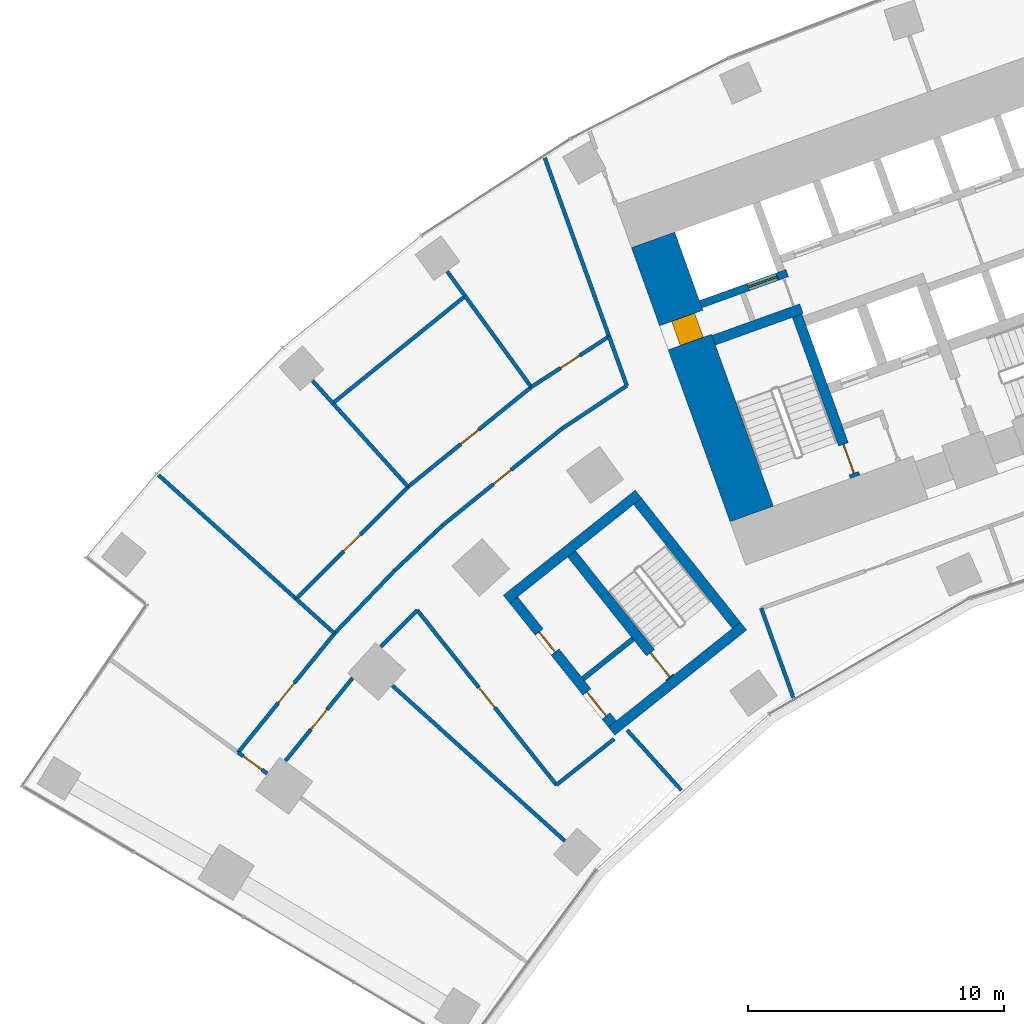
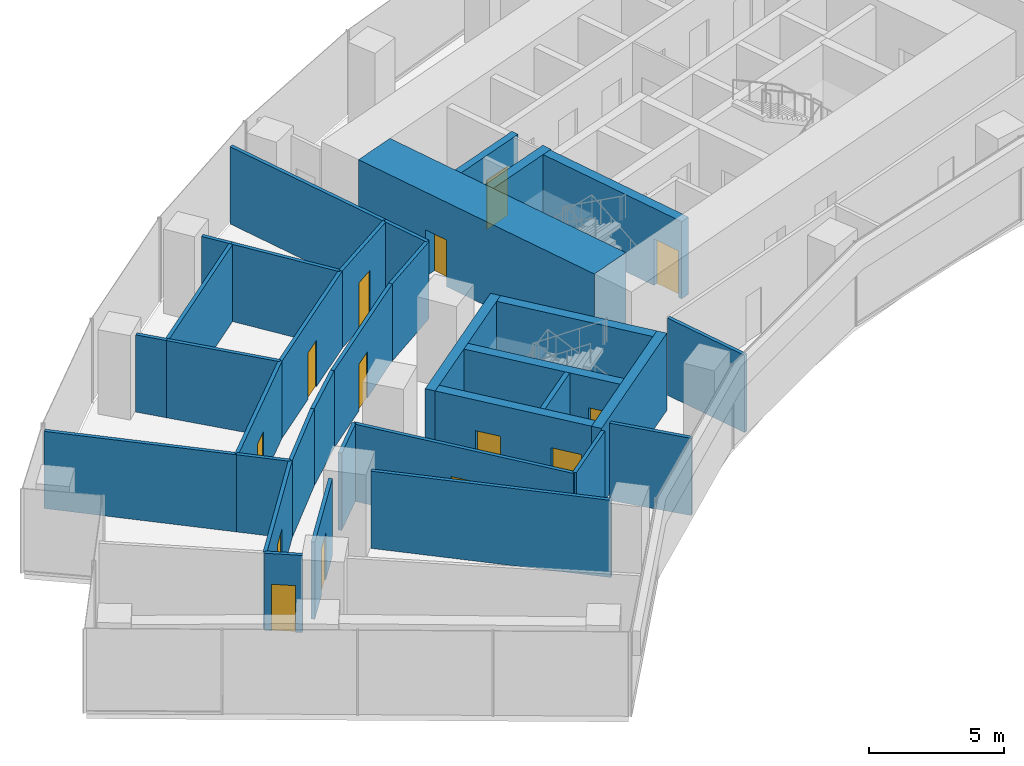
# One storey, part 14 of 21: 35 walls, 14 doors, 14 openings.
"""IFC4 building model written with IfcOpenShell, lengths in metres."""

from ifc_helpers import new_model, si_unit, direction, frame, frame_2d, origin, place, context, subcontext, project, spatial, rectangle, extrude, material, layer, layer_set, type_object, element, fill, save


model = new_model("IFC4")

# Units and contexts
model_context = context("Model", 3, precision=1e-05, world=origin(), true_north=direction((0.0, 1.0)))
body_context = subcontext(model_context, "Body", "Model", "MODEL_VIEW")
ifc_project = project(units=[si_unit("LENGTHUNIT", "METRE"), si_unit("AREAUNIT", "SQUARE_METRE"), si_unit("VOLUMEUNIT", "CUBIC_METRE"), si_unit("PLANEANGLEUNIT", "RADIAN"), si_unit("MASSUNIT", "GRAM", prefix="KILO")], contexts=[model_context])

# Site, building, storey
site_placement = place(None, origin())
site = spatial("IfcSite", under=ifc_project, at=site_placement, CompositionType="ELEMENT")
building_placement = place(site_placement, origin())
building = spatial("IfcBuilding", under=site, at=building_placement, Name="Stone Belt Terrace Tower", CompositionType="ELEMENT")
storey_placement = place(building_placement, frame((0.0, 0.0, 37.60009765625)))
storey = spatial("IfcBuildingStorey", under=building, at=storey_placement, Name="L08", CompositionType="ELEMENT", Elevation=37.60009765625)

# Wall, opening, door
ifc_material_1 = material(Name="Concrete B80", Category="concrete")
ifc_layer_1 = layer(ifc_material_1, 1.800048828125)
ifc_layer_set_1 = layer_set([ifc_layer_1], Name="Core wall 1800 B80")
wall_type_1 = type_object("IfcWallType", Name="Core wall 1800 B80", PredefinedType="SHEAR", material=ifc_layer_set_1)
wall_1_placement = place(storey_placement, frame((-26.197509765625, 42.96728515625, 0.0), z_axis=(0.0, 0.0, 1.0), x_axis=(-0.338625431531, 0.940921259788, 0.0)))
wall_1 = element("IfcWall", 1, at=wall_1_placement, inside=storey, type_object=wall_type_1, Name="Core A wall end_a L08", PredefinedType="SHEAR", context=body_context, shape_type="SweptSolid", body=[
    extrude(rectangle(XDim=11.400146484375, YDim=1.800048828125, at=frame_2d((5.7001953125, 0.0))), origin(), (0.0, 0.0, 1.0), 3.7998046875),
])
opening_1_placement = place(wall_1_placement, frame((7.150146484375, 0.0, 0.0)))
opening_1 = element("IfcOpeningElement", 2, at=opening_1_placement, cuts=wall_1, Name="Opening L08-C01", PredefinedType="OPENING", context=body_context, shape_type="SweptSolid", body=[
    extrude(rectangle(XDim=1.0, YDim=2.10009765625, at=frame_2d((0.5, 1.050048828125))), frame((0.0, 0.909912109375, 0.0), z_axis=(0.0, -1.0, 0.0), x_axis=(1.0, 0.0, 0.0)), (0.0, 0.0, 1.0), 1.820068359375),
])
ifc_material_2 = material(Name="Timber door leaf", Category="wood")
door_type_1 = type_object("IfcDoorType", Name="Core room door 1000", OperationType="SINGLE_SWING_LEFT", PredefinedType="DOOR", material=ifc_material_2)
door_1_placement = place(opening_1_placement, origin())
door_1 = element("IfcDoor", 3, at=door_1_placement, inside=storey, type_object=door_type_1, Name="Door to Telecommunications riser room core A", OperationType="SINGLE_SWING_RIGHT", OverallHeight=2.10009765625, OverallWidth=1.0, PredefinedType="DOOR", context=body_context, shape_type="SweptSolid", body=[
    extrude(rectangle(XDim=1.0, YDim=2.10009765625, at=frame_2d((0.5, 1.050048828125))), frame((0.0, 0.39501953125, 0.0), z_axis=(0.0, -1.0, 0.0), x_axis=(1.0, 0.0, 0.0)), (0.0, 0.0, 1.0), 0.949951171875),
])
fill(opening_1, door_1)

ifc_layer_2 = layer(ifc_material_1, 0.300048828125)
ifc_layer_set_2 = layer_set([ifc_layer_2], Name="Lift shaft wall 300")
wall_type_2 = type_object("IfcWallType", Name="Lift shaft wall 300", PredefinedType="SHEAR", material=ifc_layer_set_2)
wall_2_placement = place(storey_placement, frame((-28.195068359375, 51.17578125, 0.0), z_axis=(0.0, 0.0, 1.0), x_axis=(0.940901243567, 0.338681044427, 0.0)))
wall_2 = element("IfcWall", 4, at=wall_2_placement, inside=storey, type_object=wall_type_2, Name="Core A wall", PredefinedType="SHEAR", context=body_context, shape_type="SweptSolid", body=[
    extrude(rectangle(XDim=3.599853515625, YDim=0.300048828125, at=frame_2d((1.7998046875, 0.0))), origin(), (0.0, 0.0, 1.0), 3.47998046875),
])
opening_2_placement = place(wall_2_placement, frame((1.969970703125, 0.0, 0.0)))
opening_2 = element("IfcOpeningElement", 5, at=opening_2_placement, cuts=wall_2, Name="Opening L08-LD09", PredefinedType="OPENING", context=body_context, shape_type="SweptSolid", body=[
    extrude(rectangle(XDim=1.199951171875, YDim=2.199951171875, at=frame_2d((0.60009765625, 1.10009765625))), frame((0.0, 0.159912109375, 0.0), z_axis=(0.0, -1.0, 0.0), x_axis=(1.0, 0.0, 0.0)), (0.0, 0.0, 1.0), 0.320068359375),
])
ifc_material_3 = material(Name="Stainless steel door leaf", Category="steel")
door_type_2 = type_object("IfcDoorType", Name="Landing door 1200", OperationType="SLIDING_TO_LEFT", PredefinedType="DOOR", material=ifc_material_3)
door_2_placement = place(opening_2_placement, origin())
door_2 = element("IfcDoor", 6, at=door_2_placement, inside=storey, type_object=door_type_2, Name="Landing door SV1 core A", OperationType="SLIDING_TO_LEFT", OverallHeight=2.199951171875, OverallWidth=1.199951171875, PredefinedType="DOOR", context=body_context, shape_type="SweptSolid", body=[
    extrude(rectangle(XDim=1.199951171875, YDim=2.199951171875, at=frame_2d((0.60009765625, 1.10009765625))), frame((0.0, 0.02490234375, 0.0), z_axis=(0.0, -1.0, 0.0), x_axis=(1.0, 0.0, 0.0)), (0.0, 0.0, 1.0), 0.050048828125),
])
fill(opening_2, door_2)

# Walls
ifc_material_4 = material(Name="Gypsum board partition")
ifc_layer_3 = layer(ifc_material_4, 0.14990234375)
ifc_layer_set_3 = layer_set([ifc_layer_3], Name="PARTITION 150 EI 60")
wall_type_3 = type_object("IfcWallType", Name="PARTITION 150 EI 60", PredefinedType="PARTITIONING", material=ifc_layer_set_3)
wall_3_placement = place(storey_placement, frame((-25.826904296875, 39.281005859375, 0.0), z_axis=(0.0, 0.0, 1.0), x_axis=(0.338392582605, -0.941005026574, 0.0)))
element("IfcWall", 7, at=wall_3_placement, inside=storey, type_object=wall_type_3, Name="L08/wall/i001", PredefinedType="PARTITIONING", context=body_context, shape_type="SweptSolid", body=[
    extrude(rectangle(XDim=3.729248046875, YDim=0.14990234375, at=frame_2d((1.86474609375, 0.0))), origin(), (0.0, 0.0, 1.0), 3.47998046875),
])
wall_4_placement = place(storey_placement, frame((-28.94775390625, 32.149658203125, 0.0), z_axis=(0.0, 0.0, 1.0), x_axis=(-0.669245279782, 0.74304155704, 0.0)))
element("IfcWall", 8, at=wall_4_placement, inside=storey, type_object=wall_type_3, Name="L08/wall/i004", PredefinedType="PARTITIONING", context=body_context, shape_type="SweptSolid", body=[
    extrude(rectangle(XDim=3.172607421875, YDim=0.14990234375, at=frame_2d((1.58642578125, 0.0))), origin(), (0.0, 0.0, 1.0), 3.47998046875),
])
wall_5_placement = place(storey_placement, frame((-31.083984375, 47.98095703125, 0.0), z_axis=(0.0, 0.0, 1.0), x_axis=(-0.338975203453, 0.940795307941, 0.0)))
element("IfcWall", 9, at=wall_5_placement, inside=storey, type_object=wall_type_3, Name="L08/wall/i005", PredefinedType="PARTITIONING", context=body_context, shape_type="SweptSolid", body=[
    extrude(rectangle(XDim=2.06201171875, YDim=0.14990234375, at=frame_2d((1.031005859375, 0.0))), origin(), (0.0, 0.0, 1.0), 3.47998046875),
])
wall_6_placement = place(storey_placement, frame((-31.779052734375, 49.909912109375, 0.0), z_axis=(0.0, 0.0, 1.0), x_axis=(-0.338595127204, 0.940932165373, 0.0)))
element("IfcWall", 10, at=wall_6_placement, inside=storey, type_object=wall_type_3, Name="L08/wall/i006", PredefinedType="PARTITIONING", context=body_context, shape_type="SweptSolid", body=[
    extrude(rectangle(XDim=7.439697265625, YDim=0.14990234375, at=frame_2d((3.7197265625, 0.0))), origin(), (0.0, 0.0, 1.0), 3.47998046875),
])

# Wall, opening, door
wall_7_placement = place(storey_placement, frame((-45.167236328125, 32.816162109375, 0.0), z_axis=(0.0, 0.0, 1.0), x_axis=(-0.809353623303, 0.587321643094, 0.0)))
wall_7 = element("IfcWall", 11, at=wall_7_placement, inside=storey, type_object=wall_type_3, Name="L08/wall/i031", PredefinedType="PARTITIONING", context=body_context, shape_type="SweptSolid", body=[
    extrude(rectangle(XDim=1.40087890625, YDim=0.14990234375, at=frame_2d((0.700439453125, 0.0))), origin(), (0.0, 0.0, 1.0), 3.47998046875),
])
opening_3_placement = place(wall_7_placement, frame((0.25048828125, 0.0, 0.0)))
opening_3 = element("IfcOpeningElement", 12, at=opening_3_placement, cuts=wall_7, Name="Opening D-A1b-09", PredefinedType="OPENING", context=body_context, shape_type="SweptSolid", body=[
    extrude(rectangle(XDim=0.89990234375, YDim=2.10009765625, at=frame_2d((0.449951171875, 1.050048828125))), frame((0.0, 0.0849609375, 0.0), z_axis=(0.0, -1.0, 0.0), x_axis=(1.0, 0.0, 0.0)), (0.0, 0.0, 1.0), 0.169921875),
])
ifc_material_5 = material(Name="Timber fire door leaf", Category="wood")
door_type_3 = type_object("IfcDoorType", Name="TENANCY ENTRANCE DOOR 900 X 2100", OperationType="NOTDEFINED", PredefinedType="DOOR", material=ifc_material_5)
door_3_placement = place(opening_3_placement, origin())
door_3 = element("IfcDoor", 13, at=door_3_placement, inside=storey, type_object=door_type_3, Name="L08/door/i09", OperationType="SINGLE_SWING_RIGHT", OverallHeight=2.10009765625, OverallWidth=0.89990234375, PredefinedType="DOOR", context=body_context, shape_type="SweptSolid", body=[
    extrude(rectangle(XDim=0.89990234375, YDim=2.10009765625, at=frame_2d((0.449951171875, 1.050048828125))), frame((0.0, 0.02490234375, 0.0), z_axis=(0.0, -1.0, 0.0), x_axis=(1.0, 0.0, 0.0)), (0.0, 0.0, 1.0), 0.050048828125),
])
fill(opening_3, door_3)

# Wall
wall_8_placement = place(storey_placement, frame((-40.1640625, 40.761962890625, 0.0), z_axis=(0.0, 0.0, 1.0), x_axis=(0.727996599904, 0.685580739613, 0.0)))
element("IfcWall", 14, at=wall_8_placement, inside=storey, type_object=wall_type_3, Name="L08/wall/i034", PredefinedType="PARTITIONING", context=body_context, shape_type="SweptSolid", body=[
    extrude(rectangle(XDim=2.572998046875, YDim=0.14990234375, at=frame_2d((1.28662109375, 0.0))), origin(), (0.0, 0.0, 1.0), 3.47998046875),
])

# Wall, opening, door
wall_9_placement = place(storey_placement, frame((-38.2900390625, 42.527099609375, 0.0), z_axis=(0.0, 0.0, 1.0), x_axis=(0.77714422733, 0.629322532513, 0.0)))
wall_9 = element("IfcWall", 15, at=wall_9_placement, inside=storey, type_object=wall_type_3, Name="L08/wall/i035", PredefinedType="PARTITIONING", context=body_context, shape_type="SweptSolid", body=[
    extrude(rectangle(XDim=5.98876953125, YDim=0.14990234375, at=frame_2d((2.994384765625, 0.0))), origin(), (0.0, 0.0, 1.0), 3.47998046875),
])
opening_4_placement = place(wall_9_placement, frame((2.54443359375, 0.0, 0.0)))
opening_4 = element("IfcOpeningElement", 16, at=opening_4_placement, cuts=wall_9, Name="Opening D-A1b-12", PredefinedType="OPENING", context=body_context, shape_type="SweptSolid", body=[
    extrude(rectangle(XDim=0.89990234375, YDim=2.10009765625, at=frame_2d((0.449951171875, 1.050048828125))), frame((0.0, 0.0849609375, 0.0), z_axis=(0.0, -1.0, 0.0), x_axis=(1.0, 0.0, 0.0)), (0.0, 0.0, 1.0), 0.169921875),
])
door_type_4 = type_object("IfcDoorType", Name="OFFICE DOOR 900 X 2100", OperationType="NOTDEFINED", PredefinedType="DOOR", material=ifc_material_2)
door_4_placement = place(opening_4_placement, origin())
door_4 = element("IfcDoor", 17, at=door_4_placement, inside=storey, type_object=door_type_4, Name="L08/door/i12", OperationType="SINGLE_SWING_RIGHT", OverallHeight=2.10009765625, OverallWidth=0.89990234375, PredefinedType="DOOR", context=body_context, shape_type="SweptSolid", body=[
    extrude(rectangle(XDim=0.89990234375, YDim=2.10009765625, at=frame_2d((0.449951171875, 1.050048828125))), frame((0.0, 0.02490234375, 0.0), z_axis=(0.0, -1.0, 0.0), x_axis=(1.0, 0.0, 0.0)), (0.0, 0.0, 1.0), 0.050048828125),
])
fill(opening_4, door_4)

# Walls
wall_10_placement = place(storey_placement, frame((-33.635986328125, 46.2958984375, 0.0), z_axis=(0.0, 0.0, 1.0), x_axis=(0.833385857539, 0.552691607005, 0.0)))
element("IfcWall", 18, at=wall_10_placement, inside=storey, type_object=wall_type_3, Name="L08/wall/i036", PredefinedType="PARTITIONING", context=body_context, shape_type="SweptSolid", body=[
    extrude(rectangle(XDim=3.059814453125, YDim=0.14990234375, at=frame_2d((1.52978515625, 0.0))), origin(), (0.0, 0.0, 1.0), 3.47998046875),
])
wall_11_placement = place(storey_placement, frame((-39.285888671875, 39.200927734375, 0.0), z_axis=(0.0, 0.0, 1.0), x_axis=(-0.707106781187, -0.707106781187, 0.0)))
element("IfcWall", 19, at=wall_11_placement, inside=storey, type_object=wall_type_3, Name="L08/wall/i037", PredefinedType="PARTITIONING", context=body_context, shape_type="SweptSolid", body=[
    extrude(rectangle(XDim=2.017333984375, YDim=0.14990234375, at=frame_2d((1.0087890625, 0.0))), origin(), (0.0, 0.0, 1.0), 3.47998046875),
])

# Wall, opening, door
wall_12_placement = place(storey_placement, frame((-41.82373046875, 36.541259765625, 0.0), z_axis=(0.0, 0.0, 1.0), x_axis=(-0.629213442028, -0.777232554884, 0.0)))
wall_12 = element("IfcWall", 20, at=wall_12_placement, inside=storey, type_object=wall_type_3, Name="L08/wall/i038", PredefinedType="PARTITIONING", context=body_context, shape_type="SweptSolid", body=[
    extrude(rectangle(XDim=4.15478515625, YDim=0.14990234375, at=frame_2d((2.077392578125, 0.0))), origin(), (0.0, 0.0, 1.0), 3.47998046875),
])
opening_5_placement = place(wall_12_placement, frame((1.577392578125, 0.0, 0.0)))
opening_5 = element("IfcOpeningElement", 21, at=opening_5_placement, cuts=wall_12, Name="Opening D-A1b-11", PredefinedType="OPENING", context=body_context, shape_type="SweptSolid", body=[
    extrude(rectangle(XDim=1.0, YDim=2.10009765625, at=frame_2d((0.5, 1.050048828125))), frame((0.0, 0.0849609375, 0.0), z_axis=(0.0, -1.0, 0.0), x_axis=(1.0, 0.0, 0.0)), (0.0, 0.0, 1.0), 0.169921875),
])
door_type_5 = type_object("IfcDoorType", Name="TENANCY ENTRANCE DOOR 1000 X 2100", OperationType="NOTDEFINED", PredefinedType="DOOR", material=ifc_material_5)
door_5_placement = place(opening_5_placement, origin())
door_5 = element("IfcDoor", 22, at=door_5_placement, inside=storey, type_object=door_type_5, Name="L08/door/i11", OperationType="SINGLE_SWING_RIGHT", OverallHeight=2.10009765625, OverallWidth=1.0, PredefinedType="DOOR", context=body_context, shape_type="SweptSolid", body=[
    extrude(rectangle(XDim=1.0, YDim=2.10009765625, at=frame_2d((0.5, 1.050048828125))), frame((0.0, 0.02490234375, 0.0), z_axis=(0.0, -1.0, 0.0), x_axis=(1.0, 0.0, 0.0)), (0.0, 0.0, 1.0), 0.050048828125),
])
fill(opening_5, door_5)

# Wall
wall_13_placement = place(storey_placement, frame((-42.52587890625, 38.291015625, 0.0), z_axis=(0.0, 0.0, 1.0), x_axis=(0.690963131402, 0.722889999269, 0.0)))
element("IfcWall", 23, at=wall_13_placement, inside=storey, type_object=wall_type_3, Name="L08/wall/i039", PredefinedType="PARTITIONING", context=body_context, shape_type="SweptSolid", body=[
    extrude(rectangle(XDim=3.418212890625, YDim=0.14990234375, at=frame_2d((1.708984375, 0.0))), origin(), (0.0, 0.0, 1.0), 3.47998046875),
])

# Wall, opening, door
wall_14_placement = place(storey_placement, frame((-46.2958984375, 33.635986328125, 0.0), z_axis=(0.0, 0.0, 1.0), x_axis=(0.629322532513, 0.77714422733, 0.0)))
wall_14 = element("IfcWall", 24, at=wall_14_placement, inside=storey, type_object=wall_type_3, Name="L08/wall/i040", PredefinedType="PARTITIONING", context=body_context, shape_type="SweptSolid", body=[
    extrude(rectangle(XDim=5.98876953125, YDim=0.14990234375, at=frame_2d((2.994384765625, 0.0))), origin(), (0.0, 0.0, 1.0), 3.47998046875),
])
opening_6_placement = place(wall_14_placement, frame((2.494384765625, 0.0, 0.0)))
opening_6 = element("IfcOpeningElement", 25, at=opening_6_placement, cuts=wall_14, Name="Opening D-A1b-16", PredefinedType="OPENING", context=body_context, shape_type="SweptSolid", body=[
    extrude(rectangle(XDim=1.0, YDim=2.10009765625, at=frame_2d((0.5, 1.050048828125))), frame((0.0, 0.0849609375, 0.0), z_axis=(0.0, -1.0, 0.0), x_axis=(1.0, 0.0, 0.0)), (0.0, 0.0, 1.0), 0.169921875),
])
door_6_placement = place(opening_6_placement, origin())
door_6 = element("IfcDoor", 26, at=door_6_placement, inside=storey, type_object=door_type_5, Name="L08/door/i16", OperationType="SINGLE_SWING_RIGHT", OverallHeight=2.10009765625, OverallWidth=1.0, PredefinedType="DOOR", context=body_context, shape_type="SweptSolid", body=[
    extrude(rectangle(XDim=1.0, YDim=2.10009765625, at=frame_2d((0.5, 1.050048828125))), frame((0.0, 0.02490234375, 0.0), z_axis=(0.0, -1.0, 0.0), x_axis=(1.0, 0.0, 0.0)), (0.0, 0.0, 1.0), 0.050048828125),
])
fill(opening_6, door_6)

# Wall
wall_15_placement = place(storey_placement, frame((-31.58203125, 34.1640625, 0.0), z_axis=(0.0, 0.0, 1.0), x_axis=(-0.78211299795, -0.623136629029, 0.0)))
element("IfcWall", 27, at=wall_15_placement, inside=storey, type_object=wall_type_3, Name="L08/wall/i041", PredefinedType="PARTITIONING", context=body_context, shape_type="SweptSolid", body=[
    extrude(rectangle(XDim=2.88720703125, YDim=0.14990234375, at=frame_2d((1.443603515625, 0.0))), origin(), (0.0, 0.0, 1.0), 3.47998046875),
])

# Wall, opening, door
wall_16_placement = place(storey_placement, frame((-33.841064453125, 32.365966796875, 0.0), z_axis=(0.0, 0.0, 1.0), x_axis=(-0.623137799721, 0.782112065217, 0.0)))
wall_16 = element("IfcWall", 28, at=wall_16_placement, inside=storey, type_object=wall_type_3, Name="L08/wall/i042", PredefinedType="PARTITIONING", context=body_context, shape_type="SweptSolid", body=[
    extrude(rectangle(XDim=8.744384765625, YDim=0.14990234375, at=frame_2d((4.3720703125, 0.0))), origin(), (0.0, 0.0, 1.0), 3.47998046875),
])
opening_7_placement = place(wall_16_placement, frame((3.8720703125, 0.0, 0.0)))
opening_7 = element("IfcOpeningElement", 29, at=opening_7_placement, cuts=wall_16, Name="Opening D-A1b-10", PredefinedType="OPENING", context=body_context, shape_type="SweptSolid", body=[
    extrude(rectangle(XDim=1.0, YDim=2.10009765625, at=frame_2d((0.5, 1.050048828125))), frame((0.0, 0.0849609375, 0.0), z_axis=(0.0, -1.0, 0.0), x_axis=(1.0, 0.0, 0.0)), (0.0, 0.0, 1.0), 0.169921875),
])
door_7_placement = place(opening_7_placement, origin())
door_7 = element("IfcDoor", 30, at=door_7_placement, inside=storey, type_object=door_type_5, Name="L08/door/i10", OperationType="SINGLE_SWING_RIGHT", OverallHeight=2.10009765625, OverallWidth=1.0, PredefinedType="DOOR", context=body_context, shape_type="SweptSolid", body=[
    extrude(rectangle(XDim=1.0, YDim=2.10009765625, at=frame_2d((0.5, 1.050048828125))), frame((0.0, 0.02490234375, 0.0), z_axis=(0.0, -1.0, 0.0), x_axis=(1.0, 0.0, 0.0)), (0.0, 0.0, 1.0), 0.050048828125),
])
fill(opening_7, door_7)

# Wall
wall_17_placement = place(storey_placement, frame((-33.515869140625, 30.177734375, 0.0), z_axis=(0.0, 0.0, 1.0), x_axis=(-0.743122805234, 0.669155061508, 0.0)))
element("IfcWall", 31, at=wall_17_placement, inside=storey, type_object=wall_type_3, Name="L08/wall/i043", PredefinedType="PARTITIONING", context=body_context, shape_type="SweptSolid", body=[
    extrude(rectangle(XDim=9.070068359375, YDim=0.14990234375, at=frame_2d((4.53515625, 0.0))), origin(), (0.0, 0.0, 1.0), 3.47998046875),
])

# Wall, opening, door
wall_18_placement = place(storey_placement, frame((-44.030029296875, 39.64599609375, 0.0), z_axis=(0.0, 0.0, 1.0), x_axis=(0.707106781187, 0.707106781187, 0.0)))
wall_18 = element("IfcWall", 32, at=wall_18_placement, inside=storey, type_object=wall_type_3, Name="L08/wall/i044", PredefinedType="PARTITIONING", context=body_context, shape_type="SweptSolid", body=[
    extrude(rectangle(XDim=6.201416015625, YDim=0.14990234375, at=frame_2d((3.1005859375, 0.0))), origin(), (0.0, 0.0, 1.0), 3.47998046875),
])
opening_8_placement = place(wall_18_placement, frame((2.650634765625, 0.0, 0.0)))
opening_8 = element("IfcOpeningElement", 33, at=opening_8_placement, cuts=wall_18, Name="Opening D-A1b-13", PredefinedType="OPENING", context=body_context, shape_type="SweptSolid", body=[
    extrude(rectangle(XDim=0.89990234375, YDim=2.10009765625, at=frame_2d((0.449951171875, 1.050048828125))), frame((0.0, 0.0849609375, 0.0), z_axis=(0.0, -1.0, 0.0), x_axis=(1.0, 0.0, 0.0)), (0.0, 0.0, 1.0), 0.169921875),
])
door_8_placement = place(opening_8_placement, origin())
door_8 = element("IfcDoor", 34, at=door_8_placement, inside=storey, type_object=door_type_4, Name="L08/door/i13", OperationType="SINGLE_SWING_RIGHT", OverallHeight=2.10009765625, OverallWidth=0.89990234375, PredefinedType="DOOR", context=body_context, shape_type="SweptSolid", body=[
    extrude(rectangle(XDim=0.89990234375, YDim=2.10009765625, at=frame_2d((0.449951171875, 1.050048828125))), frame((0.0, 0.02490234375, 0.0), z_axis=(0.0, -1.0, 0.0), x_axis=(1.0, 0.0, 0.0)), (0.0, 0.0, 1.0), 0.050048828125),
])
fill(opening_8, door_8)

wall_19_placement = place(storey_placement, frame((-39.64501953125, 44.031005859375, 0.0), z_axis=(0.0, 0.0, 1.0), x_axis=(0.777094493267, 0.629383943658, 0.0)))
wall_19 = element("IfcWall", 35, at=wall_19_placement, inside=storey, type_object=wall_type_3, Name="L08/wall/i045", PredefinedType="PARTITIONING", context=body_context, shape_type="SweptSolid", body=[
    extrude(rectangle(XDim=6.201416015625, YDim=0.14990234375, at=frame_2d((3.1005859375, 0.0))), origin(), (0.0, 0.0, 1.0), 3.47998046875),
])
opening_9_placement = place(wall_19_placement, frame((2.650634765625, 0.0, 0.0)))
opening_9 = element("IfcOpeningElement", 36, at=opening_9_placement, cuts=wall_19, Name="Opening D-A1b-14", PredefinedType="OPENING", context=body_context, shape_type="SweptSolid", body=[
    extrude(rectangle(XDim=0.89990234375, YDim=2.10009765625, at=frame_2d((0.449951171875, 1.050048828125))), frame((0.0, 0.0849609375, 0.0), z_axis=(0.0, -1.0, 0.0), x_axis=(1.0, 0.0, 0.0)), (0.0, 0.0, 1.0), 0.169921875),
])
door_9_placement = place(opening_9_placement, origin())
door_9 = element("IfcDoor", 37, at=door_9_placement, inside=storey, type_object=door_type_4, Name="L08/door/i14", OperationType="SINGLE_SWING_RIGHT", OverallHeight=2.10009765625, OverallWidth=0.89990234375, PredefinedType="DOOR", context=body_context, shape_type="SweptSolid", body=[
    extrude(rectangle(XDim=0.89990234375, YDim=2.10009765625, at=frame_2d((0.449951171875, 1.050048828125))), frame((0.0, 0.02490234375, 0.0), z_axis=(0.0, -1.0, 0.0), x_axis=(1.0, 0.0, 0.0)), (0.0, 0.0, 1.0), 0.050048828125),
])
fill(opening_9, door_9)

wall_20_placement = place(storey_placement, frame((-34.825927734375, 47.93408203125, 0.0), z_axis=(0.0, 0.0, 1.0), x_axis=(0.838179507416, 0.545394456653, 0.0)))
wall_20 = element("IfcWall", 38, at=wall_20_placement, inside=storey, type_object=wall_type_3, Name="L08/wall/i046", PredefinedType="PARTITIONING", context=body_context, shape_type="SweptSolid", body=[
    extrude(rectangle(XDim=3.634033203125, YDim=0.14990234375, at=frame_2d((1.81689453125, 0.0))), origin(), (0.0, 0.0, 1.0), 3.47998046875),
])
opening_10_placement = place(wall_20_placement, frame((1.366943359375, 0.0, 0.0)))
opening_10 = element("IfcOpeningElement", 39, at=opening_10_placement, cuts=wall_20, Name="Opening D-A1b-15", PredefinedType="OPENING", context=body_context, shape_type="SweptSolid", body=[
    extrude(rectangle(XDim=0.89990234375, YDim=2.10009765625, at=frame_2d((0.449951171875, 1.050048828125))), frame((0.0, 0.0849609375, 0.0), z_axis=(0.0, -1.0, 0.0), x_axis=(1.0, 0.0, 0.0)), (0.0, 0.0, 1.0), 0.169921875),
])
door_10_placement = place(opening_10_placement, origin())
door_10 = element("IfcDoor", 40, at=door_10_placement, inside=storey, type_object=door_type_4, Name="L08/door/i15", OperationType="SINGLE_SWING_RIGHT", OverallHeight=2.10009765625, OverallWidth=0.89990234375, PredefinedType="DOOR", context=body_context, shape_type="SweptSolid", body=[
    extrude(rectangle(XDim=0.89990234375, YDim=2.10009765625, at=frame_2d((0.449951171875, 1.050048828125))), frame((0.0, 0.02490234375, 0.0), z_axis=(0.0, -1.0, 0.0), x_axis=(1.0, 0.0, 0.0)), (0.0, 0.0, 1.0), 0.050048828125),
])
fill(opening_10, door_10)

# Walls
wall_21_placement = place(storey_placement, frame((-42.52587890625, 38.291015625, 0.0), z_axis=(0.0, 0.0, 1.0), x_axis=(-0.742988249307, 0.669304460908, 0.0)))
element("IfcWall", 41, at=wall_21_placement, inside=storey, type_object=wall_type_3, Name="L08/wall/i047", PredefinedType="PARTITIONING", context=body_context, shape_type="SweptSolid", body=[
    extrude(rectangle(XDim=2.0244140625, YDim=0.14990234375, at=frame_2d((1.01220703125, 0.0))), origin(), (0.0, 0.0, 1.0), 3.47998046875),
])
wall_22_placement = place(storey_placement, frame((-42.593017578125, 47.304931640625, 0.0), z_axis=(0.0, 0.0, 1.0), x_axis=(0.669148410698, -0.743128793992, 0.0)))
element("IfcWall", 42, at=wall_22_placement, inside=storey, type_object=wall_type_3, Name="L08/wall/i048", PredefinedType="PARTITIONING", context=body_context, shape_type="SweptSolid", body=[
    extrude(rectangle(XDim=4.405517578125, YDim=0.14990234375, at=frame_2d((2.20263671875, 0.0))), origin(), (0.0, 0.0, 1.0), 3.47998046875),
])
wall_23_placement = place(storey_placement, frame((-43.382080078125, 48.18115234375, 0.0), z_axis=(0.0, 0.0, 1.0), x_axis=(0.669145878726, -0.743131073892, 0.0)))
element("IfcWall", 43, at=wall_23_placement, inside=storey, type_object=wall_type_3, Name="L08/wall/i049", PredefinedType="PARTITIONING", context=body_context, shape_type="SweptSolid", body=[
    extrude(rectangle(XDim=1.191162109375, YDim=0.14990234375, at=frame_2d((0.595703125, 0.0))), origin(), (0.0, 0.0, 1.0), 3.47998046875),
])
wall_24_placement = place(storey_placement, frame((-44.030029296875, 39.64599609375, 0.0), z_axis=(0.0, 0.0, 1.0), x_axis=(-0.74319367285, 0.669076351874, 0.0)))
element("IfcWall", 44, at=wall_24_placement, inside=storey, type_object=wall_type_3, Name="L08/wall/i050", PredefinedType="PARTITIONING", context=body_context, shape_type="SweptSolid", body=[
    extrude(rectangle(XDim=7.25, YDim=0.14990234375, at=frame_2d((3.625, 0.0))), origin(), (0.0, 0.0, 1.0), 3.47998046875),
])
wall_25_placement = place(storey_placement, frame((-42.589111328125, 47.301025390625, 0.0), z_axis=(0.0, 0.0, 1.0), x_axis=(0.777172317777, 0.629287842312, 0.0)))
element("IfcWall", 45, at=wall_25_placement, inside=storey, type_object=wall_type_3, Name="L08/wall/i051", PredefinedType="PARTITIONING", context=body_context, shape_type="SweptSolid", body=[
    extrude(rectangle(XDim=6.661376953125, YDim=0.14990234375, at=frame_2d((3.33056640625, 0.0))), origin(), (0.0, 0.0, 1.0), 3.47998046875),
])
wall_26_placement = place(storey_placement, frame((-37.412109375, 51.492919921875, 0.0), z_axis=(0.0, 0.0, 1.0), x_axis=(0.58786477972, -0.808959208344, 0.0)))
element("IfcWall", 46, at=wall_26_placement, inside=storey, type_object=wall_type_3, Name="L08/wall/i052", PredefinedType="PARTITIONING", context=body_context, shape_type="SweptSolid", body=[
    extrude(rectangle(XDim=4.399169921875, YDim=0.14990234375, at=frame_2d((2.19970703125, 0.0))), origin(), (0.0, 0.0, 1.0), 3.47998046875),
])
wall_27_placement = place(storey_placement, frame((-38.1083984375, 52.45166015625, 0.0), z_axis=(0.0, 0.0, 1.0), x_axis=(0.587632515929, -0.809127941813, 0.0)))
element("IfcWall", 47, at=wall_27_placement, inside=storey, type_object=wall_type_3, Name="L08/wall/i053", PredefinedType="PARTITIONING", context=body_context, shape_type="SweptSolid", body=[
    extrude(rectangle(XDim=1.184814453125, YDim=0.14990234375, at=frame_2d((0.59228515625, 0.0))), origin(), (0.0, 0.0, 1.0), 3.47998046875),
])
ifc_material_6 = material(Name="Concrete masonry block", Category="masonry")
ifc_layer_4 = layer(ifc_material_6, 0.199951171875)
ifc_layer_set_4 = layer_set([ifc_layer_4], Name="Rated lobby wall 200")
wall_type_4 = type_object("IfcWallType", Name="Rated lobby wall 200", PredefinedType="PARTITIONING", material=ifc_layer_set_4)
wall_28_placement = place(storey_placement, frame((-30.845703125, 38.074951171875, 0.0), z_axis=(0.0, 0.0, 1.0), x_axis=(-0.782115323833, -0.623133709749, 0.0)))
element("IfcWall", 48, at=wall_28_placement, inside=storey, type_object=wall_type_4, Name="Exit stair ST3A wall", PredefinedType="PARTITIONING", context=body_context, shape_type="SweptSolid", body=[
    extrude(rectangle(XDim=2.5, YDim=0.199951171875, at=frame_2d((1.25, 0.0))), origin(), (0.0, 0.0, 1.0), 3.47998046875),
])
ifc_layer_5 = layer(ifc_material_1, 0.39990234375)
ifc_layer_set_5 = layer_set([ifc_layer_5], Name="Stair enclosure wall 400")
wall_type_5 = type_object("IfcWallType", Name="Stair enclosure wall 400", PredefinedType="SHEAR", material=ifc_layer_set_5)
wall_29_placement = place(storey_placement, frame((-27.687255859375, 49.764404296875, 0.0), z_axis=(0.0, 0.0, 1.0), x_axis=(0.940918954884, 0.338631835981, 0.0)))
element("IfcWall", 49, at=wall_29_placement, inside=storey, type_object=wall_type_5, Name="Core A wall", PredefinedType="SHEAR", context=body_context, shape_type="SweptSolid", body=[
    extrude(rectangle(XDim=3.650146484375, YDim=0.39990234375, at=frame_2d((1.8251953125, 0.0))), origin(), (0.0, 0.0, 1.0), 3.47998046875),
])

# Wall, opening, door
wall_30_placement = place(storey_placement, frame((-22.151611328125, 44.42333984375, 0.0), z_axis=(0.0, 0.0, 1.0), x_axis=(-0.338625272931, 0.940921316866, 0.0)))
wall_30 = element("IfcWall", 50, at=wall_30_placement, inside=storey, type_object=wall_type_5, Name="Core A wall", PredefinedType="SHEAR", context=body_context, shape_type="SweptSolid", body=[
    extrude(rectangle(XDim=6.699951171875, YDim=0.39990234375, at=frame_2d((3.35009765625, 0.0))), origin(), (0.0, 0.0, 1.0), 3.47998046875),
])
opening_11_placement = place(wall_30_placement, frame((0.14990234375, 0.0, 0.0)))
opening_11 = element("IfcOpeningElement", 51, at=opening_11_placement, cuts=wall_30, Name="Opening L08-C05", PredefinedType="OPENING", context=body_context, shape_type="SweptSolid", body=[
    extrude(rectangle(XDim=1.199951171875, YDim=2.10009765625, at=frame_2d((0.60009765625, 1.050048828125))), frame((0.0, 0.2099609375, 0.0), z_axis=(0.0, -1.0, 0.0), x_axis=(1.0, 0.0, 0.0)), (0.0, 0.0, 1.0), 0.419921875),
])
ifc_material_7 = material(Name="Steel door leaf", Category="steel")
door_type_6 = type_object("IfcDoorType", Name="Stair door 1200", OperationType="SINGLE_SWING_LEFT", PredefinedType="DOOR", material=ifc_material_7)
door_11_placement = place(opening_11_placement, origin())
door_11 = element("IfcDoor", 52, at=door_11_placement, inside=storey, type_object=door_type_6, Name="Stair 1 door core A", OperationType="SINGLE_SWING_LEFT", OverallHeight=2.10009765625, OverallWidth=1.199951171875, PredefinedType="DOOR", context=body_context, shape_type="SweptSolid", body=[
    extrude(rectangle(XDim=1.199951171875, YDim=2.10009765625, at=frame_2d((0.60009765625, 1.050048828125))), frame((0.0, 0.02490234375, 0.0), z_axis=(0.0, -1.0, 0.0), x_axis=(1.0, 0.0, 0.0)), (0.0, 0.0, 1.0), 0.050048828125),
])
fill(opening_11, door_11)

# Walls
for number, where, z_axis, x_axis, name in (
    (53, (-26.518798828125, 38.58154296875, 0.0), (0.0, 0.0, 1.0), (-0.782133914161, -0.623110375711, 0.0), "Exit stair ST3A wall"),
    (54, (-30.63134765625, 43.74365234375, 0.0), (0.0, 0.0, 1.0), (-0.782133914161, -0.623110375711, 0.0), "Exit stair ST3A wall"),
):
    element("IfcWall", number, at=place(storey_placement, frame(where, z_axis=z_axis, x_axis=x_axis)), inside=storey, type_object=wall_type_5, Name=name, PredefinedType="SHEAR", context=body_context, shape_type="SweptSolid", body=[
        extrude(rectangle(XDim=6.60009765625, YDim=0.39990234375, at=frame_2d((3.300048828125, 0.0))), origin(), (0.0, 0.0, 1.0), 3.47998046875),
    ])
wall_31_placement = place(storey_placement, frame((-26.7998046875, 38.61328125, 0.0), z_axis=(0.0, 0.0, 1.0), x_axis=(-0.623118653668, 0.782127319208, 0.0)))
element("IfcWall", 55, at=wall_31_placement, inside=storey, type_object=wall_type_5, Name="Exit stair ST3A wall", PredefinedType="SHEAR", context=body_context, shape_type="SweptSolid", body=[
    extrude(rectangle(XDim=6.199951171875, YDim=0.39990234375, at=frame_2d((3.10009765625, 0.0))), origin(), (0.0, 0.0, 1.0), 3.47998046875),
])

# Wall, openings, doors
wall_32_placement = place(storey_placement, frame((-31.64892578125, 34.75, 0.0), z_axis=(0.0, 0.0, 1.0), x_axis=(-0.623118653668, 0.782127319208, 0.0)))
wall_32 = element("IfcWall", 56, at=wall_32_placement, inside=storey, type_object=wall_type_5, Name="Exit stair ST3A wall", PredefinedType="SHEAR", context=body_context, shape_type="SweptSolid", body=[
    extrude(rectangle(XDim=6.199951171875, YDim=0.39990234375, at=frame_2d((3.10009765625, 0.0))), origin(), (0.0, 0.0, 1.0), 3.47998046875),
])
opening_12_placement = place(wall_32_placement, frame((0.39990234375, 0.0, 0.0)))
opening_12 = element("IfcOpeningElement", 57, at=opening_12_placement, cuts=wall_32, Name="Opening L08-C22", PredefinedType="OPENING", context=body_context, shape_type="SweptSolid", body=[
    extrude(rectangle(XDim=1.199951171875, YDim=2.10009765625, at=frame_2d((0.60009765625, 1.050048828125))), frame((0.0, 0.2099609375, 0.0), z_axis=(0.0, -1.0, 0.0), x_axis=(1.0, 0.0, 0.0)), (0.0, 0.0, 1.0), 0.419921875),
])
opening_13_placement = place(wall_32_placement, frame((3.60009765625, 0.0, 0.0)))
opening_13 = element("IfcOpeningElement", 58, at=opening_13_placement, cuts=wall_32, Name="Opening L08-C23", PredefinedType="OPENING", context=body_context, shape_type="SweptSolid", body=[
    extrude(rectangle(XDim=1.0, YDim=2.10009765625, at=frame_2d((0.5, 1.050048828125))), frame((0.0, 0.2099609375, 0.0), z_axis=(0.0, -1.0, 0.0), x_axis=(1.0, 0.0, 0.0)), (0.0, 0.0, 1.0), 0.419921875),
])
door_12_placement = place(opening_13_placement, origin())
door_12 = element("IfcDoor", 59, at=door_12_placement, inside=storey, type_object=door_type_1, Name="Door to stair pressurisation plant room ST3A", OperationType="SINGLE_SWING_RIGHT", OverallHeight=2.10009765625, OverallWidth=1.0, PredefinedType="DOOR", context=body_context, shape_type="SweptSolid", body=[
    extrude(rectangle(XDim=1.0, YDim=2.10009765625, at=frame_2d((0.5, 1.050048828125))), frame((0.0, 0.02490234375, 0.0), z_axis=(0.0, -1.0, 0.0), x_axis=(1.0, 0.0, 0.0)), (0.0, 0.0, 1.0), 0.050048828125),
])
fill(opening_13, door_12)
door_type_7 = type_object("IfcDoorType", Name="Stair airlock door 1200", OperationType="SINGLE_SWING_LEFT", PredefinedType="DOOR", material=ifc_material_7)
door_13_placement = place(opening_12_placement, origin())
door_13 = element("IfcDoor", 60, at=door_13_placement, inside=storey, type_object=door_type_7, Name="Stair airlock door ST3A", OperationType="SINGLE_SWING_RIGHT", OverallHeight=2.10009765625, OverallWidth=1.199951171875, PredefinedType="DOOR", context=body_context, shape_type="SweptSolid", body=[
    extrude(rectangle(XDim=1.199951171875, YDim=2.10009765625, at=frame_2d((0.60009765625, 1.050048828125))), frame((0.0, 0.02490234375, 0.0), z_axis=(0.0, -1.0, 0.0), x_axis=(1.0, 0.0, 0.0)), (0.0, 0.0, 1.0), 0.050048828125),
])
fill(opening_12, door_13)

# Wall, opening, door
wall_33_placement = place(storey_placement, frame((-29.380859375, 36.556884765625, 0.0), z_axis=(0.0, 0.0, 1.0), x_axis=(-0.623099462847, 0.782142608097, 0.0)))
wall_33 = element("IfcWall", 61, at=wall_33_placement, inside=storey, type_object=wall_type_5, Name="Exit stair ST3A wall", PredefinedType="SHEAR", context=body_context, shape_type="SweptSolid", body=[
    extrude(rectangle(XDim=6.2001953125, YDim=0.39990234375, at=frame_2d((3.10009765625, 0.0))), origin(), (0.0, 0.0, 1.0), 3.47998046875),
])
opening_14_placement = place(wall_33_placement, frame((0.050048828125, 0.0, 0.0)))
opening_14 = element("IfcOpeningElement", 62, at=opening_14_placement, cuts=wall_33, Name="Opening L08-C21", PredefinedType="OPENING", context=body_context, shape_type="SweptSolid", body=[
    extrude(rectangle(XDim=1.199951171875, YDim=2.10009765625, at=frame_2d((0.60009765625, 1.050048828125))), frame((0.0, 0.2099609375, 0.0), z_axis=(0.0, -1.0, 0.0), x_axis=(1.0, 0.0, 0.0)), (0.0, 0.0, 1.0), 0.419921875),
])
door_14_placement = place(opening_14_placement, origin())
door_14 = element("IfcDoor", 63, at=door_14_placement, inside=storey, type_object=door_type_6, Name="Stair door ST3A", OperationType="SINGLE_SWING_LEFT", OverallHeight=2.10009765625, OverallWidth=1.199951171875, PredefinedType="DOOR", context=body_context, shape_type="SweptSolid", body=[
    extrude(rectangle(XDim=1.199951171875, YDim=2.10009765625, at=frame_2d((0.60009765625, 1.050048828125))), frame((0.0, 0.02490234375, 0.0), z_axis=(0.0, -1.0, 0.0), x_axis=(1.0, 0.0, 0.0)), (0.0, 0.0, 1.0), 0.050048828125),
])
fill(opening_14, door_14)

save(model, "model.ifc")
